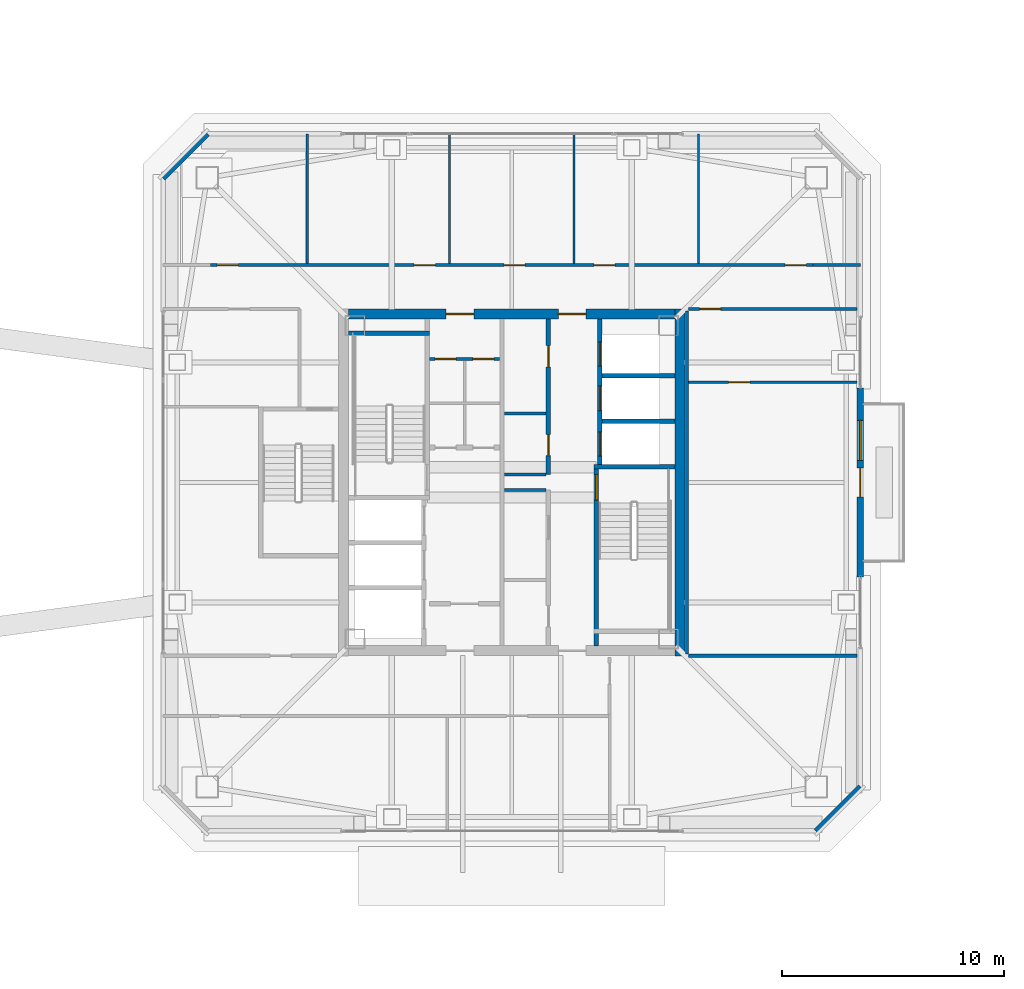
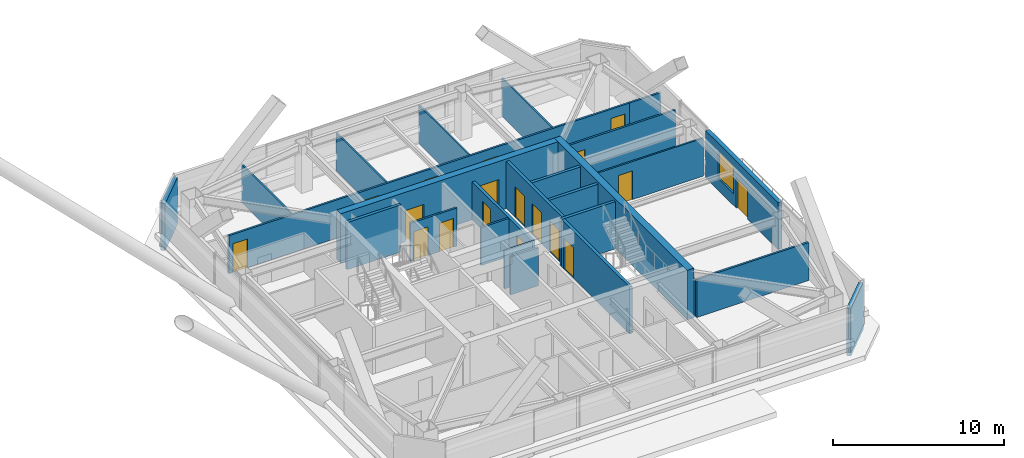
# One storey, part 31 of 39: 26 walls, 18 doors, 1 window, 19 openings.
"""IFC4 building model written with IfcOpenShell, lengths in metres."""

from ifc_helpers import new_model, si_unit, direction, frame, frame_2d, origin, place, context, subcontext, project, spatial, rectangle, extrude, material, layer, layer_set, type_object, element, fill, save


model = new_model("IFC4")

# Units and contexts
model_context = context("Model", 3, precision=1e-05, world=origin(), true_north=direction((0.0, 1.0)))
body_context = subcontext(model_context, "Body", "Model", "MODEL_VIEW")
ifc_project = project(units=[si_unit("LENGTHUNIT", "METRE"), si_unit("AREAUNIT", "SQUARE_METRE"), si_unit("VOLUMEUNIT", "CUBIC_METRE"), si_unit("PLANEANGLEUNIT", "RADIAN"), si_unit("MASSUNIT", "GRAM", prefix="KILO")], contexts=[model_context])

# Site, building, storey
site_placement = place(None, origin())
site = spatial("IfcSite", under=ifc_project, at=site_placement, CompositionType="ELEMENT")
building_placement = place(site_placement, origin())
building = spatial("IfcBuilding", under=site, at=building_placement, Name="Tashvorn Skyway Center", CompositionType="ELEMENT")
storey_placement = place(building_placement, frame((0.0, 0.0, 232.60009765625)))
storey = spatial("IfcBuildingStorey", under=building, at=storey_placement, Name="L63", CompositionType="ELEMENT", Elevation=232.60009765625)

# Wall
ifc_material_1 = material(Name="Concrete C50/60", Category="concrete")
ifc_layer_1 = layer(ifc_material_1, 0.449951171875)
ifc_layer_set_1 = layer_set([ifc_layer_1], Name="Concrete C50/60")
wall_type_1 = type_object("IfcWallType", Name="WALL-CORE-450", PredefinedType="SHEAR", material=ifc_layer_set_1)
wall_1_placement = place(storey_placement, frame((49.574951171875, 39.800048828125, 0.0), z_axis=(0.0, 0.0, 1.0), x_axis=(0.0, -1.0, 0.0)))
element("IfcWall", 1, at=wall_1_placement, inside=storey, type_object=wall_type_1, Name="Tower 1 L63 East Core Shear Wall", PredefinedType="SHEAR", context=body_context, shape_type="SweptSolid", body=[
    extrude(rectangle(XDim=15.60009765625, YDim=0.449951171875, at=frame_2d((7.800048828125, 0.0))), origin(), (0.0, 0.0, 1.0), 3.5498046875),
])

# Wall, openings, doors
wall_2_placement = place(storey_placement, frame((34.64990234375, 39.574951171875, 0.0), z_axis=(0.0, 0.0, 1.0), x_axis=(1.0, 0.0, 0.0)))
wall_2 = element("IfcWall", 2, at=wall_2_placement, inside=storey, type_object=wall_type_1, Name="Tower 1 L63 North Core Shear Wall", PredefinedType="SHEAR", context=body_context, shape_type="SweptSolid", body=[
    extrude(rectangle(XDim=14.7001953125, YDim=0.449951171875, at=frame_2d((7.35009765625, 0.0))), origin(), (0.0, 0.0, 1.0), 3.5498046875),
])
opening_1_placement = place(wall_2_placement, frame((4.39990234375, 0.0, 0.0)))
opening_1 = element("IfcOpeningElement", 3, at=opening_1_placement, cuts=wall_2, Name="Opening D-FFL-1250", PredefinedType="OPENING", context=body_context, shape_type="SweptSolid", body=[
    extrude(rectangle(XDim=1.25, YDim=2.25, at=frame_2d((0.625, 1.125))), frame((0.0, 0.23486328125, 0.0), z_axis=(0.0, -1.0, 0.0), x_axis=(1.0, 0.0, 0.0)), (0.0, 0.0, 1.0), 0.469970703125),
])
opening_2_placement = place(wall_2_placement, frame((9.449951171875, 0.0, 0.0)))
opening_2 = element("IfcOpeningElement", 4, at=opening_2_placement, cuts=wall_2, Name="Opening D-FFL-1250", PredefinedType="OPENING", context=body_context, shape_type="SweptSolid", body=[
    extrude(rectangle(XDim=1.25, YDim=2.25, at=frame_2d((0.625, 1.125))), frame((0.0, 0.23486328125, 0.0), z_axis=(0.0, -1.0, 0.0), x_axis=(1.0, 0.0, 0.0)), (0.0, 0.0, 1.0), 0.469970703125),
])
ifc_material_2 = material(Name="Hollow galvanized steel fire door assembly", Category="steel")
door_type_1 = type_object("IfcDoorType", Name="DOOR-FFL-1250", OperationType="NOTDEFINED", PredefinedType="DOOR", material=ifc_material_2)
door_1_placement = place(opening_1_placement, origin())
door_1 = element("IfcDoor", 5, at=door_1_placement, inside=storey, type_object=door_type_1, Name="Tower 1 L63 Core North Service Lobby Door", OperationType="SINGLE_SWING_LEFT", OverallHeight=2.25, OverallWidth=1.25, PredefinedType="DOOR", context=body_context, shape_type="SweptSolid", body=[
    extrude(rectangle(XDim=1.25, YDim=2.25, at=frame_2d((0.625, 1.125))), frame((0.0, 0.02490234375, 0.0), z_axis=(0.0, -1.0, 0.0), x_axis=(1.0, 0.0, 0.0)), (0.0, 0.0, 1.0), 0.050048828125),
])
fill(opening_1, door_1)
door_2_placement = place(opening_2_placement, origin())
door_2 = element("IfcDoor", 6, at=door_2_placement, inside=storey, type_object=door_type_1, Name="Tower 1 L63 Core North Lift Lobby Door", OperationType="SINGLE_SWING_RIGHT", OverallHeight=2.25, OverallWidth=1.25, PredefinedType="DOOR", context=body_context, shape_type="SweptSolid", body=[
    extrude(rectangle(XDim=1.25, YDim=2.25, at=frame_2d((0.625, 1.125))), frame((0.0, 0.02490234375, 0.0), z_axis=(0.0, -1.0, 0.0), x_axis=(1.0, 0.0, 0.0)), (0.0, 0.0, 1.0), 0.050048828125),
])
fill(opening_2, door_2)

# Wall, openings, door, window
ifc_material_3 = material(Name="Precast concrete C40/50", Category="concrete")
ifc_layer_2 = layer(ifc_material_3, 0.280029296875)
ifc_layer_set_2 = layer_set([ifc_layer_2], Name="Precast concrete C40/50")
wall_type_2 = type_object("IfcWallType", Name="WALL-EXT-280", PredefinedType="SOLIDWALL", material=ifc_layer_set_2)
wall_3_placement = place(storey_placement, frame((57.679931640625, 36.25, 0.0), z_axis=(0.0, 0.0, 1.0), x_axis=(0.0, -1.0, 0.0)))
wall_3 = element("IfcWall", 7, at=wall_3_placement, inside=storey, type_object=wall_type_2, Name="Tower 1 L63 East Terrace Portal Wall", PredefinedType="SOLIDWALL", context=body_context, shape_type="SweptSolid", body=[
    extrude(rectangle(XDim=8.5, YDim=0.280029296875, at=frame_2d((4.25, 0.0))), origin(), (0.0, 0.0, 1.0), 3.369873046875),
])
opening_3_placement = place(wall_3_placement, frame((3.60009765625, 0.0, 0.0)))
opening_3 = element("IfcOpeningElement", 8, at=opening_3_placement, cuts=wall_3, Name="Opening D-TER-1300", PredefinedType="OPENING", context=body_context, shape_type="SweptSolid", body=[
    extrude(rectangle(XDim=1.300048828125, YDim=2.14990234375, at=frame_2d((0.64990234375, 1.074951171875))), frame((0.0, 0.14990234375, 0.0), z_axis=(0.0, -1.0, 0.0), x_axis=(1.0, 0.0, 0.0)), (0.0, 0.0, 1.0), 0.300048828125),
])
opening_4_placement = place(wall_3_placement, frame((1.4599609375, 0.0, 0.85009765625)))
opening_4 = element("IfcOpeningElement", 9, at=opening_4_placement, cuts=wall_3, Name="Opening WIN-1800", PredefinedType="OPENING", context=body_context, shape_type="SweptSolid", body=[
    extrude(rectangle(XDim=1.800048828125, YDim=1.919921875, at=frame_2d((0.89990234375, 0.9599609375))), frame((0.0, 0.14990234375, 0.0), z_axis=(0.0, -1.0, 0.0), x_axis=(1.0, 0.0, 0.0)), (0.0, 0.0, 1.0), 0.300048828125),
])
ifc_material_4 = material(Name="Thermally broken bronze-anodized aluminium 6063-T6", Category="aluminium")
door_type_2 = type_object("IfcDoorType", Name="DOOR-TERR-1300", OperationType="NOTDEFINED", PredefinedType="DOOR", material=ifc_material_4)
door_3_placement = place(opening_3_placement, origin())
door_3 = element("IfcDoor", 10, at=door_3_placement, inside=storey, type_object=door_type_2, Name="Tower 1 L63 Terrace Access Door", OperationType="SINGLE_SWING_LEFT", OverallHeight=2.14990234375, OverallWidth=1.300048828125, PredefinedType="DOOR", context=body_context, shape_type="SweptSolid", body=[
    extrude(rectangle(XDim=1.300048828125, YDim=2.14990234375, at=frame_2d((0.64990234375, 1.074951171875))), frame((0.0, 0.02490234375, 0.0), z_axis=(0.0, -1.0, 0.0), x_axis=(1.0, 0.0, 0.0)), (0.0, 0.0, 1.0), 0.050048828125),
])
fill(opening_3, door_3)
ifc_material_5 = material(Name="Low-E solar-control double insulating safety glass", Category="glass")
window_type = type_object("IfcWindowType", Name="WIN-TERR-1800", PartitioningType="SINGLE_PANEL", PredefinedType="WINDOW", material=ifc_material_5)
window_placement = place(opening_4_placement, origin())
window = element("IfcWindow", 11, at=window_placement, inside=storey, type_object=window_type, Name="Tower 1 L63 Terrace Window", OverallHeight=1.919921875, OverallWidth=1.800048828125, PartitioningType="SINGLE_PANEL", PredefinedType="WINDOW", context=body_context, shape_type="SweptSolid", body=[
    extrude(rectangle(XDim=1.800048828125, YDim=1.919921875, at=frame_2d((0.89990234375, 0.9599609375))), frame((0.0, 0.030029296875, 0.0), z_axis=(0.0, -1.0, 0.0), x_axis=(1.0, 0.0, 0.0)), (0.0, 0.0, 1.0), 0.06005859375),
])
fill(opening_4, window)

# Walls
for number, where, z_axis, x_axis, name in (
    (12, (26.300048828125, 45.699951171875, 0.0), (0.0, 0.0, 1.0), (0.707106781187, 0.707106781187, 0.0), "Tower 1 L63 NW Precast Chamfer Wall"),
    (13, (57.699951171875, 18.300048828125, 0.0), (0.0, 0.0, 1.0), (-0.707106781187, -0.707106781187, 0.0), "Tower 1 L63 SE Precast Chamfer Wall"),
):
    element("IfcWall", number, at=place(storey_placement, frame(where, z_axis=z_axis, x_axis=x_axis)), inside=storey, type_object=wall_type_2, Name=name, PredefinedType="SOLIDWALL", context=body_context, shape_type="SweptSolid", body=[
        extrude(rectangle(XDim=2.828369140625, YDim=0.280029296875, at=frame_2d((1.4140625, 0.0))), origin(), (0.0, 0.0, 1.0), 3.369873046875),
    ])
ifc_material_6 = material(Name="Gypsum board on cold-formed steel stud framing", Category="steel")
ifc_layer_3 = layer(ifc_material_6, 0.110107421875)
ifc_layer_set_3 = layer_set([ifc_layer_3], Name="Gypsum board on cold-formed steel stud framing")
wall_type_3 = type_object("IfcWallType", Name="WALL-PART-110", PredefinedType="PARTITIONING", material=ifc_layer_set_3)
for number, where, z_axis, x_axis, name in (
    (14, (32.800048828125, 41.85009765625, 0.0), (0.0, 0.0, 1.0), (0.0, 1.0, 0.0), "Tower 1 L63 North Suite Partition 1"),
    (15, (39.199951171875, 41.85009765625, 0.0), (0.0, 0.0, 1.0), (0.0, 1.0, 0.0), "Tower 1 L63 North Suite Partition 2"),
    (16, (44.800048828125, 41.85009765625, 0.0), (0.0, 0.0, 1.0), (0.0, 1.0, 0.0), "Tower 1 L63 North Suite Partition 3"),
    (17, (50.39990234375, 41.85009765625, 0.0), (0.0, 0.0, 1.0), (0.0, 1.0, 0.0), "Tower 1 L63 North Suite Partition 4"),
):
    element("IfcWall", number, at=place(storey_placement, frame(where, z_axis=z_axis, x_axis=x_axis)), inside=storey, type_object=wall_type_3, Name=name, PredefinedType="PARTITIONING", context=body_context, shape_type="SweptSolid", body=[
        extrude(rectangle(XDim=5.829833984375, YDim=0.110107421875, at=frame_2d((2.9150390625, 0.0))), origin(), (0.0, 0.0, 1.0), 2.722900390625),
    ])

# Wall, opening, door
wall_4_placement = place(storey_placement, frame((49.9599609375, 36.5, 0.0), z_axis=(0.0, 0.0, 1.0), x_axis=(1.0, 0.0, 0.0)))
wall_4 = element("IfcWall", 18, at=wall_4_placement, inside=storey, type_object=wall_type_3, Name="Tower 1 L63 East Mid Partition", PredefinedType="PARTITIONING", context=body_context, shape_type="SweptSolid", body=[
    extrude(rectangle(XDim=7.570068359375, YDim=0.110107421875, at=frame_2d((3.78515625, 0.0))), origin(), (0.0, 0.0, 1.0), 2.722900390625),
])
opening_5_placement = place(wall_4_placement, frame((1.800048828125, 0.0, 0.0)))
opening_5 = element("IfcOpeningElement", 19, at=opening_5_placement, cuts=wall_4, Name="Opening D-INT-950", PredefinedType="OPENING", context=body_context, shape_type="SweptSolid", body=[
    extrude(rectangle(XDim=0.949951171875, YDim=2.050048828125, at=frame_2d((0.47509765625, 1.02490234375))), frame((0.0, 0.06494140625, 0.0), z_axis=(0.0, -1.0, 0.0), x_axis=(1.0, 0.0, 0.0)), (0.0, 0.0, 1.0), 0.130126953125),
])
ifc_material_7 = material(Name="Solid-core architectural oak veneer door")
door_type_3 = type_object("IfcDoorType", Name="DOOR-INT-950", OperationType="NOTDEFINED", PredefinedType="DOOR", material=ifc_material_7)
door_4_placement = place(opening_5_placement, origin())
door_4 = element("IfcDoor", 20, at=door_4_placement, inside=storey, type_object=door_type_3, Name="Tower 1 L63 Design Studio Door", OperationType="SINGLE_SWING_LEFT", OverallHeight=2.050048828125, OverallWidth=0.949951171875, PredefinedType="DOOR", context=body_context, shape_type="SweptSolid", body=[
    extrude(rectangle(XDim=0.949951171875, YDim=2.050048828125, at=frame_2d((0.47509765625, 1.02490234375))), frame((0.0, 0.02490234375, 0.0), z_axis=(0.0, -1.0, 0.0), x_axis=(1.0, 0.0, 0.0)), (0.0, 0.0, 1.0), 0.050048828125),
])
fill(opening_5, door_4)

# Wall, openings, doors
ifc_layer_4 = layer(ifc_material_6, 0.135009765625)
ifc_layer_set_4 = layer_set([ifc_layer_4], Name="Gypsum board on cold-formed steel stud framing")
wall_type_4 = type_object("IfcWallType", Name="WALL-PART-135", PredefinedType="PARTITIONING", material=ifc_layer_set_4)
wall_5_placement = place(storey_placement, frame((28.449951171875, 41.77001953125, 0.0), z_axis=(0.0, 0.0, 1.0), x_axis=(1.0, 0.0, 0.0)))
wall_5 = element("IfcWall", 21, at=wall_5_placement, inside=storey, type_object=wall_type_4, Name="Tower 1 L63 North Suite Wall", PredefinedType="PARTITIONING", context=body_context, shape_type="SweptSolid", body=[
    extrude(rectangle(XDim=27.10009765625, YDim=0.135009765625, at=frame_2d((13.550048828125, 0.0))), origin(), (0.0, 0.0, 1.0), 2.722900390625),
])
opening_6_placement = place(wall_5_placement, frame((0.300048828125, 0.0, 0.0)))
opening_6 = element("IfcOpeningElement", 22, at=opening_6_placement, cuts=wall_5, Name="Opening D-INT-950", PredefinedType="OPENING", context=body_context, shape_type="SweptSolid", body=[
    extrude(rectangle(XDim=0.949951171875, YDim=2.050048828125, at=frame_2d((0.47509765625, 1.02490234375))), frame((0.0, 0.077392578125, 0.0), z_axis=(0.0, -1.0, 0.0), x_axis=(1.0, 0.0, 0.0)), (0.0, 0.0, 1.0), 0.155029296875),
])
opening_7_placement = place(wall_5_placement, frame((9.159423828125, 0.0, 0.0)))
opening_7 = element("IfcOpeningElement", 23, at=opening_7_placement, cuts=wall_5, Name="Opening D-INT-950", PredefinedType="OPENING", context=body_context, shape_type="SweptSolid", body=[
    extrude(rectangle(XDim=0.949951171875, YDim=2.050048828125, at=frame_2d((0.47509765625, 1.02490234375))), frame((0.0, 0.077392578125, 0.0), z_axis=(0.0, -1.0, 0.0), x_axis=(1.0, 0.0, 0.0)), (0.0, 0.0, 1.0), 0.155029296875),
])
opening_8_placement = place(wall_5_placement, frame((13.20458984375, 0.0, 0.0)))
opening_8 = element("IfcOpeningElement", 24, at=opening_8_placement, cuts=wall_5, Name="Opening D-INT-950", PredefinedType="OPENING", context=body_context, shape_type="SweptSolid", body=[
    extrude(rectangle(XDim=0.949951171875, YDim=2.050048828125, at=frame_2d((0.47509765625, 1.02490234375))), frame((0.0, 0.077392578125, 0.0), z_axis=(0.0, -1.0, 0.0), x_axis=(1.0, 0.0, 0.0)), (0.0, 0.0, 1.0), 0.155029296875),
])
opening_9_placement = place(wall_5_placement, frame((17.248779296875, 0.0, 0.0)))
opening_9 = element("IfcOpeningElement", 25, at=opening_9_placement, cuts=wall_5, Name="Opening D-INT-950", PredefinedType="OPENING", context=body_context, shape_type="SweptSolid", body=[
    extrude(rectangle(XDim=0.949951171875, YDim=2.050048828125, at=frame_2d((0.47509765625, 1.02490234375))), frame((0.0, 0.077392578125, 0.0), z_axis=(0.0, -1.0, 0.0), x_axis=(1.0, 0.0, 0.0)), (0.0, 0.0, 1.0), 0.155029296875),
])
opening_10_placement = place(wall_5_placement, frame((25.85009765625, 0.0, 0.0)))
opening_10 = element("IfcOpeningElement", 26, at=opening_10_placement, cuts=wall_5, Name="Opening D-INT-950", PredefinedType="OPENING", context=body_context, shape_type="SweptSolid", body=[
    extrude(rectangle(XDim=0.949951171875, YDim=2.050048828125, at=frame_2d((0.47509765625, 1.02490234375))), frame((0.0, 0.077392578125, 0.0), z_axis=(0.0, -1.0, 0.0), x_axis=(1.0, 0.0, 0.0)), (0.0, 0.0, 1.0), 0.155029296875),
])
door_5_placement = place(opening_6_placement, origin())
door_5 = element("IfcDoor", 27, at=door_5_placement, inside=storey, type_object=door_type_3, Name="Tower 1 L63 Research Library Door", OperationType="SINGLE_SWING_RIGHT", OverallHeight=2.050048828125, OverallWidth=0.949951171875, PredefinedType="DOOR", context=body_context, shape_type="SweptSolid", body=[
    extrude(rectangle(XDim=0.949951171875, YDim=2.050048828125, at=frame_2d((0.47509765625, 1.02490234375))), frame((0.0, 0.02490234375, 0.0), z_axis=(0.0, -1.0, 0.0), x_axis=(1.0, 0.0, 0.0)), (0.0, 0.0, 1.0), 0.050048828125),
])
fill(opening_6, door_5)
door_6_placement = place(opening_7_placement, origin())
door_6 = element("IfcDoor", 28, at=door_6_placement, inside=storey, type_object=door_type_3, Name="Tower 1 L63 Research Library Door", OperationType="SINGLE_SWING_LEFT", OverallHeight=2.050048828125, OverallWidth=0.949951171875, PredefinedType="DOOR", context=body_context, shape_type="SweptSolid", body=[
    extrude(rectangle(XDim=0.949951171875, YDim=2.050048828125, at=frame_2d((0.47509765625, 1.02490234375))), frame((0.0, 0.02490234375, 0.0), z_axis=(0.0, -1.0, 0.0), x_axis=(1.0, 0.0, 0.0)), (0.0, 0.0, 1.0), 0.050048828125),
])
fill(opening_7, door_6)
door_7_placement = place(opening_8_placement, origin())
door_7 = element("IfcDoor", 29, at=door_7_placement, inside=storey, type_object=door_type_3, Name="Tower 1 L63 Reading Lounge Door", OperationType="SINGLE_SWING_RIGHT", OverallHeight=2.050048828125, OverallWidth=0.949951171875, PredefinedType="DOOR", context=body_context, shape_type="SweptSolid", body=[
    extrude(rectangle(XDim=0.949951171875, YDim=2.050048828125, at=frame_2d((0.47509765625, 1.02490234375))), frame((0.0, 0.02490234375, 0.0), z_axis=(0.0, -1.0, 0.0), x_axis=(1.0, 0.0, 0.0)), (0.0, 0.0, 1.0), 0.050048828125),
])
fill(opening_8, door_7)
door_8_placement = place(opening_9_placement, origin())
door_8 = element("IfcDoor", 30, at=door_8_placement, inside=storey, type_object=door_type_3, Name="Tower 1 L63 Research Library Door", OperationType="SINGLE_SWING_LEFT", OverallHeight=2.050048828125, OverallWidth=0.949951171875, PredefinedType="DOOR", context=body_context, shape_type="SweptSolid", body=[
    extrude(rectangle(XDim=0.949951171875, YDim=2.050048828125, at=frame_2d((0.47509765625, 1.02490234375))), frame((0.0, 0.02490234375, 0.0), z_axis=(0.0, -1.0, 0.0), x_axis=(1.0, 0.0, 0.0)), (0.0, 0.0, 1.0), 0.050048828125),
])
fill(opening_9, door_8)
door_9_placement = place(opening_10_placement, origin())
door_9 = element("IfcDoor", 31, at=door_9_placement, inside=storey, type_object=door_type_3, Name="Tower 1 L63 Research Library Door", OperationType="SINGLE_SWING_RIGHT", OverallHeight=2.050048828125, OverallWidth=0.949951171875, PredefinedType="DOOR", context=body_context, shape_type="SweptSolid", body=[
    extrude(rectangle(XDim=0.949951171875, YDim=2.050048828125, at=frame_2d((0.47509765625, 1.02490234375))), frame((0.0, 0.02490234375, 0.0), z_axis=(0.0, -1.0, 0.0), x_axis=(1.0, 0.0, 0.0)), (0.0, 0.0, 1.0), 0.050048828125),
])
fill(opening_10, door_9)

# Walls
wall_6_placement = place(storey_placement, frame((55.550048828125, 41.77001953125, 0.0), z_axis=(0.0, 0.0, 1.0), x_axis=(1.0, 0.0, 0.0)))
element("IfcWall", 32, at=wall_6_placement, inside=storey, type_object=wall_type_4, Name="Tower 1 L63 North-East Suite South Wall", PredefinedType="PARTITIONING", context=body_context, shape_type="SweptSolid", body=[
    extrude(rectangle(XDim=2.1298828125, YDim=0.135009765625, at=frame_2d((1.06494140625, 0.0))), origin(), (0.0, 0.0, 1.0), 2.722900390625),
])
wall_7_placement = place(storey_placement, frame((49.8798828125, 39.719970703125, 0.0), z_axis=(0.0, 0.0, 1.0), x_axis=(0.0, -1.0, 0.0)))
element("IfcWall", 33, at=wall_7_placement, inside=storey, type_object=wall_type_4, Name="Tower 1 L63 East Inner Suite Wall", PredefinedType="PARTITIONING", context=body_context, shape_type="SweptSolid", body=[
    extrude(rectangle(XDim=15.43994140625, YDim=0.135009765625, at=frame_2d((7.719970703125, 0.0))), origin(), (0.0, 0.0, 1.0), 2.722900390625),
])

# Wall, opening, door
wall_8_placement = place(storey_placement, frame((57.530029296875, 39.800048828125, 0.0), z_axis=(0.0, 0.0, 1.0), x_axis=(-1.0, 0.0, 0.0)))
wall_8 = element("IfcWall", 34, at=wall_8_placement, inside=storey, type_object=wall_type_4, Name="Tower 1 L63 East Suite North Wall", PredefinedType="PARTITIONING", context=body_context, shape_type="SweptSolid", body=[
    extrude(rectangle(XDim=7.570068359375, YDim=0.135009765625, at=frame_2d((3.78515625, 0.0))), origin(), (0.0, 0.0, 1.0), 2.722900390625),
])
opening_11_placement = place(wall_8_placement, frame((6.1298828125, 0.0, 0.0)))
opening_11 = element("IfcOpeningElement", 35, at=opening_11_placement, cuts=wall_8, Name="Opening D-INT-950", PredefinedType="OPENING", context=body_context, shape_type="SweptSolid", body=[
    extrude(rectangle(XDim=0.949951171875, YDim=2.050048828125, at=frame_2d((0.47509765625, 1.02490234375))), frame((0.0, 0.077392578125, 0.0), z_axis=(0.0, -1.0, 0.0), x_axis=(1.0, 0.0, 0.0)), (0.0, 0.0, 1.0), 0.155029296875),
])
door_10_placement = place(opening_11_placement, origin())
door_10 = element("IfcDoor", 36, at=door_10_placement, inside=storey, type_object=door_type_3, Name="Tower 1 L63 Research Library Door", OperationType="SINGLE_SWING_RIGHT", OverallHeight=2.050048828125, OverallWidth=0.949951171875, PredefinedType="DOOR", context=body_context, shape_type="SweptSolid", body=[
    extrude(rectangle(XDim=0.949951171875, YDim=2.050048828125, at=frame_2d((0.47509765625, 1.02490234375))), frame((0.0, 0.02490234375, 0.0), z_axis=(0.0, -1.0, 0.0), x_axis=(1.0, 0.0, 0.0)), (0.0, 0.0, 1.0), 0.050048828125),
])
fill(opening_11, door_10)

# Wall
wall_9_placement = place(storey_placement, frame((49.9599609375, 24.199951171875, 0.0), z_axis=(0.0, 0.0, 1.0), x_axis=(1.0, 0.0, 0.0)))
element("IfcWall", 37, at=wall_9_placement, inside=storey, type_object=wall_type_4, Name="Tower 1 L63 East Suite South Wall", PredefinedType="PARTITIONING", context=body_context, shape_type="SweptSolid", body=[
    extrude(rectangle(XDim=7.570068359375, YDim=0.135009765625, at=frame_2d((3.78515625, 0.0))), origin(), (0.0, 0.0, 1.0), 2.722900390625),
])

# Wall, openings, doors
ifc_layer_5 = layer(ifc_material_6, 0.135009765625)
ifc_layer_set_5 = layer_set([ifc_layer_5], Name="Gypsum board on cold-formed steel stud framing")
wall_type_5 = type_object("IfcWallType", Name="WALL-RATED-135", PredefinedType="PARTITIONING", material=ifc_layer_set_5)
wall_10_placement = place(storey_placement, frame((38.300048828125, 37.550048828125, 0.0), z_axis=(0.0, 0.0, 1.0), x_axis=(1.0, 0.0, 0.0)))
wall_10 = element("IfcWall", 38, at=wall_10_placement, inside=storey, type_object=wall_type_5, Name="Tower 1 L63 Core Service Lobby Wall", PredefinedType="PARTITIONING", context=body_context, shape_type="SweptSolid", body=[
    extrude(rectangle(XDim=3.14990234375, YDim=0.135009765625, at=frame_2d((1.574951171875, 0.0))), origin(), (0.0, 0.0, 1.0), 2.722900390625),
])
opening_12_placement = place(wall_10_placement, frame((0.25, 0.0, 0.0)))
opening_12 = element("IfcOpeningElement", 39, at=opening_12_placement, cuts=wall_10, Name="Opening D-RT-950", PredefinedType="OPENING", context=body_context, shape_type="SweptSolid", body=[
    extrude(rectangle(XDim=0.949951171875, YDim=2.050048828125, at=frame_2d((0.47509765625, 1.02490234375))), frame((0.0, 0.077392578125, 0.0), z_axis=(0.0, -1.0, 0.0), x_axis=(1.0, 0.0, 0.0)), (0.0, 0.0, 1.0), 0.155029296875),
])
opening_13_placement = place(wall_10_placement, frame((1.949951171875, 0.0, 0.0)))
opening_13 = element("IfcOpeningElement", 40, at=opening_13_placement, cuts=wall_10, Name="Opening D-RT-950", PredefinedType="OPENING", context=body_context, shape_type="SweptSolid", body=[
    extrude(rectangle(XDim=0.949951171875, YDim=2.050048828125, at=frame_2d((0.47509765625, 1.02490234375))), frame((0.0, 0.077392578125, 0.0), z_axis=(0.0, -1.0, 0.0), x_axis=(1.0, 0.0, 0.0)), (0.0, 0.0, 1.0), 0.155029296875),
])
door_type_4 = type_object("IfcDoorType", Name="DOOR-RATED-950", OperationType="NOTDEFINED", PredefinedType="DOOR", material=ifc_material_2)
door_11_placement = place(opening_12_placement, origin())
door_11 = element("IfcDoor", 41, at=door_11_placement, inside=storey, type_object=door_type_4, Name="Tower 1 L63 Core Cleaner Store Door", OperationType="SINGLE_SWING_LEFT", OverallHeight=2.050048828125, OverallWidth=0.949951171875, PredefinedType="DOOR", context=body_context, shape_type="SweptSolid", body=[
    extrude(rectangle(XDim=0.949951171875, YDim=2.050048828125, at=frame_2d((0.47509765625, 1.02490234375))), frame((0.0, 0.02490234375, 0.0), z_axis=(0.0, -1.0, 0.0), x_axis=(1.0, 0.0, 0.0)), (0.0, 0.0, 1.0), 0.050048828125),
])
fill(opening_12, door_11)
door_12_placement = place(opening_13_placement, origin())
door_12 = element("IfcDoor", 42, at=door_12_placement, inside=storey, type_object=door_type_4, Name="Tower 1 L63 Core Accessible WC Door", OperationType="SINGLE_SWING_RIGHT", OverallHeight=2.050048828125, OverallWidth=0.949951171875, PredefinedType="DOOR", context=body_context, shape_type="SweptSolid", body=[
    extrude(rectangle(XDim=0.949951171875, YDim=2.050048828125, at=frame_2d((0.47509765625, 1.02490234375))), frame((0.0, 0.02490234375, 0.0), z_axis=(0.0, -1.0, 0.0), x_axis=(1.0, 0.0, 0.0)), (0.0, 0.0, 1.0), 0.050048828125),
])
fill(opening_13, door_12)

# Walls
for number, where, z_axis, x_axis, name in (
    (43, (41.669921875, 31.64990234375, 0.0), (0.0, 0.0, 1.0), (1.0, 0.0, 0.0), "Tower 1 L63 Core Room Partition"),
    (44, (41.669921875, 32.35009765625, 0.0), (0.0, 0.0, 1.0), (1.0, 0.0, 0.0), "Tower 1 L63 Core Room Partition"),
    (45, (41.669921875, 35.10009765625, 0.0), (0.0, 0.0, 1.0), (1.0, 0.0, 0.0), "Tower 1 L63 Freed Mid-Rise Partition"),
):
    element("IfcWall", number, at=place(storey_placement, frame(where, z_axis=z_axis, x_axis=x_axis)), inside=storey, type_object=wall_type_5, Name=name, PredefinedType="PARTITIONING", context=body_context, shape_type="SweptSolid", body=[
        extrude(rectangle(XDim=1.880126953125, YDim=0.135009765625, at=frame_2d((0.93994140625, 0.0))), origin(), (0.0, 0.0, 1.0), 2.722900390625),
    ])
ifc_material_8 = material(Name="Concrete C40/50", Category="concrete")
ifc_layer_6 = layer(ifc_material_8, 0.199951171875)
ifc_layer_set_6 = layer_set([ifc_layer_6], Name="Concrete C40/50")
wall_type_6 = type_object("IfcWallType", Name="WALL-SHAFT-200", PredefinedType="SOLIDWALL", material=ifc_layer_set_6)
for number, where, z_axis, x_axis, name in (
    (46, (46.050048828125, 34.75, 0.0), (0.0, 0.0, 1.0), (1.0, 0.0, 0.0), "Tower 1 L63 High-Rise Shaft Divider"),
    (47, (46.050048828125, 36.800048828125, 0.0), (0.0, 0.0, 1.0), (1.0, 0.0, 0.0), "Tower 1 L63 High-Rise Shaft Divider"),
):
    element("IfcWall", number, at=place(storey_placement, frame(where, z_axis=z_axis, x_axis=x_axis)), inside=storey, type_object=wall_type_6, Name=name, PredefinedType="SOLIDWALL", context=body_context, shape_type="SweptSolid", body=[
        extrude(rectangle(XDim=3.300048828125, YDim=0.199951171875, at=frame_2d((1.64990234375, 0.0))), origin(), (0.0, 0.0, 1.0), 3.369873046875),
    ])

# Wall, openings, doors
wall_11_placement = place(storey_placement, frame((43.64990234375, 32.35009765625, 0.0), z_axis=(0.0, 0.0, 1.0), x_axis=(0.0, 1.0, 0.0)))
wall_11 = element("IfcWall", 48, at=wall_11_placement, inside=storey, type_object=wall_type_6, Name="Tower 1 L63 Mid-Rise Core Wall", PredefinedType="SOLIDWALL", context=body_context, shape_type="SweptSolid", body=[
    extrude(rectangle(XDim=7.0, YDim=0.199951171875, at=frame_2d((3.5, 0.0))), origin(), (0.0, 0.0, 1.0), 2.722900390625),
])
opening_14_placement = place(wall_11_placement, frame((0.85009765625, 0.0, 0.0)))
opening_14 = element("IfcOpeningElement", 49, at=opening_14_placement, cuts=wall_11, Name="Opening D-RT-950", PredefinedType="OPENING", context=body_context, shape_type="SweptSolid", body=[
    extrude(rectangle(XDim=0.949951171875, YDim=2.050048828125, at=frame_2d((0.47509765625, 1.02490234375))), frame((0.0, 0.10986328125, 0.0), z_axis=(0.0, -1.0, 0.0), x_axis=(1.0, 0.0, 0.0)), (0.0, 0.0, 1.0), 0.219970703125),
])
opening_15_placement = place(wall_11_placement, frame((4.85009765625, 0.0, 0.0)))
opening_15 = element("IfcOpeningElement", 50, at=opening_15_placement, cuts=wall_11, Name="Opening D-RT-950", PredefinedType="OPENING", context=body_context, shape_type="SweptSolid", body=[
    extrude(rectangle(XDim=0.949951171875, YDim=2.050048828125, at=frame_2d((0.47509765625, 1.02490234375))), frame((0.0, 0.10986328125, 0.0), z_axis=(0.0, -1.0, 0.0), x_axis=(1.0, 0.0, 0.0)), (0.0, 0.0, 1.0), 0.219970703125),
])
door_13_placement = place(opening_14_placement, origin())
door_13 = element("IfcDoor", 51, at=door_13_placement, inside=storey, type_object=door_type_4, Name="Tower 1 L63 Core IT Room Door", OperationType="SINGLE_SWING_RIGHT", OverallHeight=2.050048828125, OverallWidth=0.949951171875, PredefinedType="DOOR", context=body_context, shape_type="SweptSolid", body=[
    extrude(rectangle(XDim=0.949951171875, YDim=2.050048828125, at=frame_2d((0.47509765625, 1.02490234375))), frame((0.0, 0.02490234375, 0.0), z_axis=(0.0, -1.0, 0.0), x_axis=(1.0, 0.0, 0.0)), (0.0, 0.0, 1.0), 0.050048828125),
])
fill(opening_14, door_13)
door_14_placement = place(opening_15_placement, origin())
door_14 = element("IfcDoor", 52, at=door_14_placement, inside=storey, type_object=door_type_4, Name="Tower 1 L63 Core Catering Pantry Door", OperationType="SINGLE_SWING_LEFT", OverallHeight=2.050048828125, OverallWidth=0.949951171875, PredefinedType="DOOR", context=body_context, shape_type="SweptSolid", body=[
    extrude(rectangle(XDim=0.949951171875, YDim=2.050048828125, at=frame_2d((0.47509765625, 1.02490234375))), frame((0.0, 0.02490234375, 0.0), z_axis=(0.0, -1.0, 0.0), x_axis=(1.0, 0.0, 0.0)), (0.0, 0.0, 1.0), 0.050048828125),
])
fill(opening_15, door_14)

# Wall
ifc_layer_7 = layer(ifc_material_8, 0.199951171875)
ifc_layer_set_7 = layer_set([ifc_layer_7], Name="Concrete C40/50")
wall_type_7 = type_object("IfcWallType", Name="WALL-STSHF-200", PredefinedType="SHEAR", material=ifc_layer_set_7)
wall_12_placement = place(storey_placement, frame((34.64990234375, 38.699951171875, 0.0), z_axis=(0.0, 0.0, 1.0), x_axis=(1.0, 0.0, 0.0)))
element("IfcWall", 53, at=wall_12_placement, inside=storey, type_object=wall_type_7, Name="Tower 1 L63 Stair 1 North Wall", PredefinedType="SHEAR", context=body_context, shape_type="SweptSolid", body=[
    extrude(rectangle(XDim=3.650146484375, YDim=0.199951171875, at=frame_2d((1.8251953125, 0.0))), origin(), (0.0, 0.0, 1.0), 3.369873046875),
])

# Wall, opening, door
wall_13_placement = place(storey_placement, frame((45.800048828125, 32.800048828125, 0.0), z_axis=(0.0, 0.0, 1.0), x_axis=(0.0, -1.0, 0.0)))
wall_13 = element("IfcWall", 54, at=wall_13_placement, inside=storey, type_object=wall_type_7, Name="Tower 1 L63 Stair 2 Enclosure Wall", PredefinedType="SHEAR", context=body_context, shape_type="SweptSolid", body=[
    extrude(rectangle(XDim=8.150146484375, YDim=0.199951171875, at=frame_2d((4.0751953125, 0.0))), origin(), (0.0, 0.0, 1.0), 3.369873046875),
])
opening_16_placement = place(wall_13_placement, frame((0.449951171875, 0.0, 0.0)))
opening_16 = element("IfcOpeningElement", 55, at=opening_16_placement, cuts=wall_13, Name="Opening D-ST-1150", PredefinedType="OPENING", context=body_context, shape_type="SweptSolid", body=[
    extrude(rectangle(XDim=1.14990234375, YDim=2.199951171875, at=frame_2d((0.574951171875, 1.10009765625))), frame((0.0, 0.10986328125, 0.0), z_axis=(0.0, -1.0, 0.0), x_axis=(1.0, 0.0, 0.0)), (0.0, 0.0, 1.0), 0.219970703125),
])
door_type_5 = type_object("IfcDoorType", Name="DOOR-STAIR-1150", OperationType="NOTDEFINED", PredefinedType="DOOR", material=ifc_material_2)
door_15_placement = place(opening_16_placement, origin())
door_15 = element("IfcDoor", 56, at=door_15_placement, inside=storey, type_object=door_type_5, Name="Tower 1 L63 Exit Stair 2 Door", OperationType="SINGLE_SWING_RIGHT", OverallHeight=2.199951171875, OverallWidth=1.14990234375, PredefinedType="DOOR", context=body_context, shape_type="SweptSolid", body=[
    extrude(rectangle(XDim=1.14990234375, YDim=2.199951171875, at=frame_2d((0.574951171875, 1.10009765625))), frame((0.0, 0.02490234375, 0.0), z_axis=(0.0, -1.0, 0.0), x_axis=(1.0, 0.0, 0.0)), (0.0, 0.0, 1.0), 0.050048828125),
])
fill(opening_16, door_15)

# Wall
wall_14_placement = place(storey_placement, frame((45.699951171875, 32.699951171875, 0.0), z_axis=(0.0, 0.0, 1.0), x_axis=(1.0, 0.0, 0.0)))
element("IfcWall", 57, at=wall_14_placement, inside=storey, type_object=wall_type_7, Name="Tower 1 L63 Stair 2 North Wall", PredefinedType="SHEAR", context=body_context, shape_type="SweptSolid", body=[
    extrude(rectangle(XDim=3.650146484375, YDim=0.199951171875, at=frame_2d((1.8251953125, 0.0))), origin(), (0.0, 0.0, 1.0), 3.369873046875),
])

# Wall, openings, doors
wall_15_placement = place(storey_placement, frame((45.949951171875, 39.35009765625, 0.0), z_axis=(0.0, 0.0, 1.0), x_axis=(0.0, -1.0, 0.0)))
wall_15 = element("IfcWall", 58, at=wall_15_placement, inside=storey, type_object=wall_type_7, Name="Tower 1 L63 High-Rise Lift Shaft Front Wall", PredefinedType="SHEAR", context=body_context, shape_type="SweptSolid", body=[
    extrude(rectangle(XDim=6.550048828125, YDim=0.199951171875, at=frame_2d((3.27490234375, 0.0))), origin(), (0.0, 0.0, 1.0), 3.369873046875),
])
opening_17_placement = place(wall_15_placement, frame((5.074951171875, 0.0, 0.0)))
opening_17 = element("IfcOpeningElement", 59, at=opening_17_placement, cuts=wall_15, Name="Opening LD-HR-T1-1-L63", PredefinedType="OPENING", context=body_context, shape_type="SweptSolid", body=[
    extrude(rectangle(XDim=1.10009765625, YDim=2.199951171875, at=frame_2d((0.550048828125, 1.10009765625))), frame((0.0, 0.10986328125, 0.0), z_axis=(0.0, -1.0, 0.0), x_axis=(1.0, 0.0, 0.0)), (0.0, 0.0, 1.0), 0.219970703125),
])
opening_18_placement = place(wall_15_placement, frame((3.02490234375, 0.0, 0.0)))
opening_18 = element("IfcOpeningElement", 60, at=opening_18_placement, cuts=wall_15, Name="Opening LD-HR-T1-2-L63", PredefinedType="OPENING", context=body_context, shape_type="SweptSolid", body=[
    extrude(rectangle(XDim=1.10009765625, YDim=2.199951171875, at=frame_2d((0.550048828125, 1.10009765625))), frame((0.0, 0.10986328125, 0.0), z_axis=(0.0, -1.0, 0.0), x_axis=(1.0, 0.0, 0.0)), (0.0, 0.0, 1.0), 0.219970703125),
])
opening_19_placement = place(wall_15_placement, frame((1.02490234375, 0.0, 0.0)))
opening_19 = element("IfcOpeningElement", 61, at=opening_19_placement, cuts=wall_15, Name="Opening LD-HR-T1-3-L63", PredefinedType="OPENING", context=body_context, shape_type="SweptSolid", body=[
    extrude(rectangle(XDim=1.10009765625, YDim=2.199951171875, at=frame_2d((0.550048828125, 1.10009765625))), frame((0.0, 0.10986328125, 0.0), z_axis=(0.0, -1.0, 0.0), x_axis=(1.0, 0.0, 0.0)), (0.0, 0.0, 1.0), 0.219970703125),
])
ifc_material_9 = material(Name="Stainless steel landing door", Category="steel")
door_type_6 = type_object("IfcDoorType", Name="DOOR-LIFT-1100", OperationType="SLIDING_TO_LEFT", PredefinedType="DOOR", material=ifc_material_9)
door_16_placement = place(opening_17_placement, origin())
door_16 = element("IfcDoor", 62, at=door_16_placement, inside=storey, type_object=door_type_6, Name="Lift HR-T1-1 L63 Landing Door", OperationType="SLIDING_TO_LEFT", OverallHeight=2.199951171875, OverallWidth=1.10009765625, PredefinedType="DOOR", context=body_context, shape_type="SweptSolid", body=[
    extrude(rectangle(XDim=1.10009765625, YDim=2.199951171875, at=frame_2d((0.550048828125, 1.10009765625))), frame((0.0, 0.02490234375, 0.0), z_axis=(0.0, -1.0, 0.0), x_axis=(1.0, 0.0, 0.0)), (0.0, 0.0, 1.0), 0.050048828125),
])
fill(opening_17, door_16)
door_17_placement = place(opening_18_placement, origin())
door_17 = element("IfcDoor", 63, at=door_17_placement, inside=storey, type_object=door_type_6, Name="Lift HR-T1-2 L63 Landing Door", OperationType="SLIDING_TO_LEFT", OverallHeight=2.199951171875, OverallWidth=1.10009765625, PredefinedType="DOOR", context=body_context, shape_type="SweptSolid", body=[
    extrude(rectangle(XDim=1.10009765625, YDim=2.199951171875, at=frame_2d((0.550048828125, 1.10009765625))), frame((0.0, 0.02490234375, 0.0), z_axis=(0.0, -1.0, 0.0), x_axis=(1.0, 0.0, 0.0)), (0.0, 0.0, 1.0), 0.050048828125),
])
fill(opening_18, door_17)
door_18_placement = place(opening_19_placement, origin())
door_18 = element("IfcDoor", 64, at=door_18_placement, inside=storey, type_object=door_type_6, Name="Lift HR-T1-3 L63 Landing Door", OperationType="SLIDING_TO_LEFT", OverallHeight=2.199951171875, OverallWidth=1.10009765625, PredefinedType="DOOR", context=body_context, shape_type="SweptSolid", body=[
    extrude(rectangle(XDim=1.10009765625, YDim=2.199951171875, at=frame_2d((0.550048828125, 1.10009765625))), frame((0.0, 0.02490234375, 0.0), z_axis=(0.0, -1.0, 0.0), x_axis=(1.0, 0.0, 0.0)), (0.0, 0.0, 1.0), 0.050048828125),
])
fill(opening_19, door_18)

save(model, "model.ifc")
